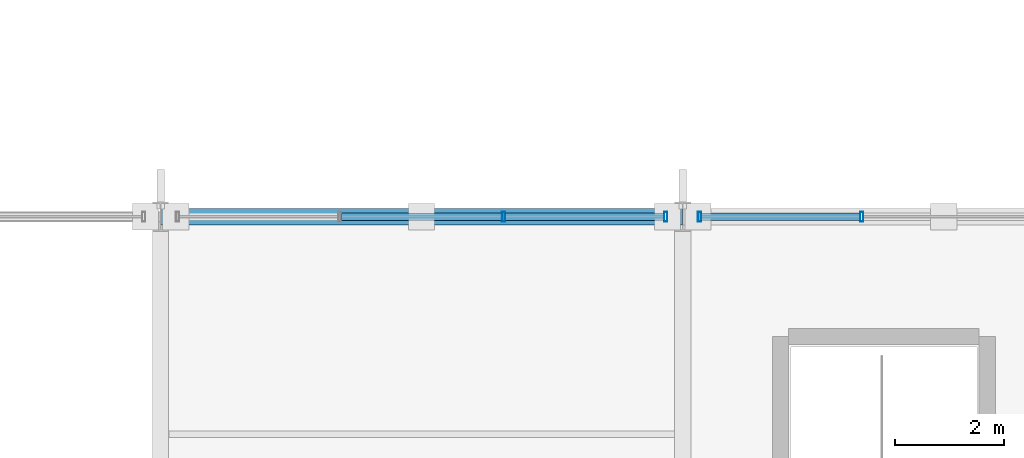
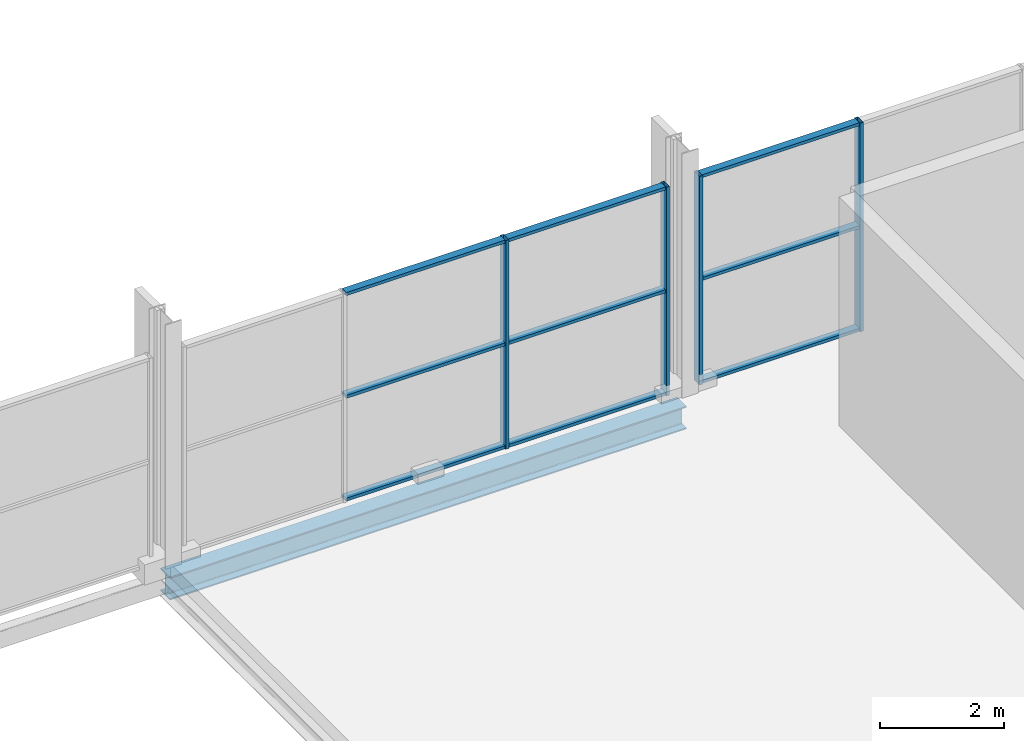
# One storey, part 81 of 159: 13 members, 1 beam, 2 elements without a shape of their own.
"""IFC4 building model written with IfcOpenShell, lengths in metres."""

from ifc_helpers import new_model, si_unit, direction, frame, origin, origin_2d, place, context, subcontext, project, spatial, hollow_rectangle, i_section, extrude, material, material_profile, profile_set, type_object, element, aggregate, save


model = new_model("IFC4")

# Units and contexts
model_context = context("Model", 3, precision=1e-05, world=origin(), true_north=direction((0.0, 1.0)))
body_context = subcontext(model_context, "Body", "Model", "MODEL_VIEW")
ifc_project = project(units=[si_unit("LENGTHUNIT", "METRE"), si_unit("AREAUNIT", "SQUARE_METRE"), si_unit("VOLUMEUNIT", "CUBIC_METRE"), si_unit("PLANEANGLEUNIT", "RADIAN"), si_unit("MASSUNIT", "GRAM", prefix="KILO")], contexts=[model_context])

# Site, building, storey
site_placement = place(None, origin())
site = spatial("IfcSite", under=ifc_project, at=site_placement, CompositionType="ELEMENT")
building_placement = place(site_placement, origin())
building = spatial("IfcBuilding", under=site, at=building_placement, Name="Merenkruunu Market Hall", CompositionType="ELEMENT")
storey_placement = place(building_placement, frame((0.0, 0.0, 5.39990234375)))
storey = spatial("IfcBuildingStorey", under=building, at=storey_placement, Name="L01", CompositionType="ELEMENT", Elevation=5.39990234375)

# Curtain wall, members
ifc_material_1 = material(Name="Powder-coated aluminium", Category="aluminium")
curtain_wall_type = type_object("IfcCurtainWallType", Name="Glazed Curtain Wall CW09", PredefinedType="USERDEFINED", material=ifc_material_1)
curtain_wall_1_placement = place(storey_placement, origin())
curtain_wall_1 = element("IfcCurtainWall", 1, at=curtain_wall_1_placement, inside=storey, type_object=curtain_wall_type, Name="CW-L01-CWM02-054", ObjectType="GLAZED_FACADE", PredefinedType="USERDEFINED")
ifc_material_profile_1 = material_profile(ifc_material_1, hollow_rectangle(XDim=0.06005859375, YDim=0.179931640625, WallThickness=0.00390625, at=origin_2d()), Name="ALU 60x180x4")
ifc_profile_set_1 = profile_set([ifc_material_profile_1], Name="Powder-coated aluminium")
member_type_1 = type_object("IfcMemberType", Name="Curtain Wall Mullion CWM02", PredefinedType="MULLION", material=ifc_profile_set_1)
member_1_placement = place(storey_placement, frame((15.90673828125, 111.60009765625, 0.0), z_axis=(0.0, 0.0, 1.0), x_axis=(1.0, 0.0, 0.0)))
member_1 = element("IfcMember", 2, at=member_1_placement, type_object=member_type_1, Name="CW09 mullion 3", PredefinedType="MULLION", context=body_context, shape_type="SweptSolid", body=[
    extrude(hollow_rectangle(XDim=0.06005859375, YDim=0.179931640625, WallThickness=0.00390625, at=origin_2d()), origin(), (0.0, 0.0, 1.0), 4.10009765625),
])
member_2_placement = place(storey_placement, frame((18.889892578125, 111.60009765625, 0.0), z_axis=(0.0, 0.0, 1.0), x_axis=(1.0, 0.0, 0.0)))
member_2 = element("IfcMember", 3, at=member_2_placement, type_object=member_type_1, Name="CW09 mullion 4", PredefinedType="MULLION", context=body_context, shape_type="SweptSolid", body=[
    extrude(hollow_rectangle(XDim=0.06005859375, YDim=0.179931640625, WallThickness=0.00390625, at=origin_2d()), origin(), (0.0, 0.0, 1.0), 4.10009765625),
])

curtain_wall_2_placement = place(storey_placement, origin())
curtain_wall_2 = element("IfcCurtainWall", 4, at=curtain_wall_2_placement, inside=storey, type_object=curtain_wall_type, Name="CW-L01-CWM02-057", ObjectType="GLAZED_FACADE", PredefinedType="USERDEFINED")
member_3_placement = place(storey_placement, frame((19.510009765625, 111.60009765625, 0.0), z_axis=(0.0, 0.0, 1.0), x_axis=(1.0, 0.0, 0.0)))
member_3 = element("IfcMember", 5, at=member_3_placement, type_object=member_type_1, Name="CW09 mullion 1", PredefinedType="MULLION", context=body_context, shape_type="SweptSolid", body=[
    extrude(hollow_rectangle(XDim=0.06005859375, YDim=0.179931640625, WallThickness=0.00390625, at=origin_2d()), origin(), (0.0, 0.0, 1.0), 4.10009765625),
])
member_4_placement = place(storey_placement, frame((22.493408203125, 111.60009765625, 0.0), z_axis=(0.0, 0.0, 1.0), x_axis=(1.0, 0.0, 0.0)))
member_4 = element("IfcMember", 6, at=member_4_placement, type_object=member_type_1, Name="CW09 mullion 2", PredefinedType="MULLION", context=body_context, shape_type="SweptSolid", body=[
    extrude(hollow_rectangle(XDim=0.06005859375, YDim=0.179931640625, WallThickness=0.00390625, at=origin_2d()), origin(), (0.0, 0.0, 1.0), 4.10009765625),
])

# Member
ifc_material_profile_2 = material_profile(ifc_material_1, hollow_rectangle(XDim=0.06005859375, YDim=0.139892578125, WallThickness=0.00390625, at=origin_2d()), Name="ALU 60x140x4")
ifc_profile_set_2 = profile_set([ifc_material_profile_2], Name="Powder-coated aluminium")
member_type_2 = type_object("IfcMemberType", Name="Curtain Wall Transom CWT02", PredefinedType="USERDEFINED", material=ifc_profile_set_2)
member_5_placement = place(storey_placement, frame((12.92333984375, 111.60009765625, 0.030029296875), z_axis=(1.0, 0.0, 0.0), x_axis=(0.0, 0.0, 1.0)))
member_5 = element("IfcMember", 7, at=member_5_placement, type_object=member_type_2, Name="CW09 transom 2.1", ObjectType="TRANSOM", PredefinedType="USERDEFINED", context=body_context, shape_type="SweptSolid", body=[
    extrude(hollow_rectangle(XDim=0.06005859375, YDim=0.139892578125, WallThickness=0.00390625, at=origin_2d()), origin(), (0.0, 0.0, 1.0), 2.953369140625),
])

member_6_placement = place(storey_placement, frame((12.92333984375, 111.60009765625, 2.050048828125), z_axis=(1.0, 0.0, 0.0), x_axis=(0.0, 0.0, 1.0)))
member_6 = element("IfcMember", 8, at=member_6_placement, type_object=member_type_2, Name="CW09 transom 2.2", ObjectType="TRANSOM", PredefinedType="USERDEFINED", context=body_context, shape_type="SweptSolid", body=[
    extrude(hollow_rectangle(XDim=0.06005859375, YDim=0.139892578125, WallThickness=0.00390625, at=origin_2d()), origin(), (0.0, 0.0, 1.0), 2.953369140625),
])

member_7_placement = place(storey_placement, frame((12.92333984375, 111.60009765625, 4.070068359375), z_axis=(1.0, 0.0, 0.0), x_axis=(0.0, 0.0, 1.0)))
member_7 = element("IfcMember", 9, at=member_7_placement, type_object=member_type_2, Name="CW09 transom 2.3", ObjectType="TRANSOM", PredefinedType="USERDEFINED", context=body_context, shape_type="SweptSolid", body=[
    extrude(hollow_rectangle(XDim=0.06005859375, YDim=0.139892578125, WallThickness=0.00390625, at=origin_2d()), origin(), (0.0, 0.0, 1.0), 2.953369140625),
])

member_8_placement = place(storey_placement, frame((15.936767578125, 111.60009765625, 0.030029296875), z_axis=(1.0, 0.0, 0.0), x_axis=(0.0, 0.0, 1.0)))
member_8 = element("IfcMember", 10, at=member_8_placement, type_object=member_type_2, Name="CW09 transom 3.1", ObjectType="TRANSOM", PredefinedType="USERDEFINED", context=body_context, shape_type="SweptSolid", body=[
    extrude(hollow_rectangle(XDim=0.06005859375, YDim=0.139892578125, WallThickness=0.00390625, at=origin_2d()), origin(), (0.0, 0.0, 1.0), 2.92333984375),
])

member_9_placement = place(storey_placement, frame((15.936767578125, 111.60009765625, 2.050048828125), z_axis=(1.0, 0.0, 0.0), x_axis=(0.0, 0.0, 1.0)))
member_9 = element("IfcMember", 11, at=member_9_placement, type_object=member_type_2, Name="CW09 transom 3.2", ObjectType="TRANSOM", PredefinedType="USERDEFINED", context=body_context, shape_type="SweptSolid", body=[
    extrude(hollow_rectangle(XDim=0.06005859375, YDim=0.139892578125, WallThickness=0.00390625, at=origin_2d()), origin(), (0.0, 0.0, 1.0), 2.92333984375),
])

member_10_placement = place(storey_placement, frame((15.936767578125, 111.60009765625, 4.070068359375), z_axis=(1.0, 0.0, 0.0), x_axis=(0.0, 0.0, 1.0)))
member_10 = element("IfcMember", 12, at=member_10_placement, type_object=member_type_2, Name="CW09 transom 3.3", ObjectType="TRANSOM", PredefinedType="USERDEFINED", context=body_context, shape_type="SweptSolid", body=[
    extrude(hollow_rectangle(XDim=0.06005859375, YDim=0.139892578125, WallThickness=0.00390625, at=origin_2d()), origin(), (0.0, 0.0, 1.0), 2.92333984375),
])

aggregate(curtain_wall_1, [member_1, member_2, member_5, member_6, member_7, member_8, member_9, member_10])

member_11_placement = place(storey_placement, frame((19.5400390625, 111.60009765625, 0.030029296875), z_axis=(1.0, 0.0, 0.0), x_axis=(0.0, 0.0, 1.0)))
member_11 = element("IfcMember", 13, at=member_11_placement, type_object=member_type_2, Name="CW09 transom 1.1", ObjectType="TRANSOM", PredefinedType="USERDEFINED", context=body_context, shape_type="SweptSolid", body=[
    extrude(hollow_rectangle(XDim=0.06005859375, YDim=0.139892578125, WallThickness=0.00390625, at=origin_2d()), origin(), (0.0, 0.0, 1.0), 2.92333984375),
])

member_12_placement = place(storey_placement, frame((19.5400390625, 111.60009765625, 2.050048828125), z_axis=(1.0, 0.0, 0.0), x_axis=(0.0, 0.0, 1.0)))
member_12 = element("IfcMember", 14, at=member_12_placement, type_object=member_type_2, Name="CW09 transom 1.2", ObjectType="TRANSOM", PredefinedType="USERDEFINED", context=body_context, shape_type="SweptSolid", body=[
    extrude(hollow_rectangle(XDim=0.06005859375, YDim=0.139892578125, WallThickness=0.00390625, at=origin_2d()), origin(), (0.0, 0.0, 1.0), 2.92333984375),
])

member_13_placement = place(storey_placement, frame((19.5400390625, 111.60009765625, 4.070068359375), z_axis=(1.0, 0.0, 0.0), x_axis=(0.0, 0.0, 1.0)))
member_13 = element("IfcMember", 15, at=member_13_placement, type_object=member_type_2, Name="CW09 transom 1.3", ObjectType="TRANSOM", PredefinedType="USERDEFINED", context=body_context, shape_type="SweptSolid", body=[
    extrude(hollow_rectangle(XDim=0.06005859375, YDim=0.139892578125, WallThickness=0.00390625, at=origin_2d()), origin(), (0.0, 0.0, 1.0), 2.92333984375),
])

aggregate(curtain_wall_2, [member_3, member_4, member_11, member_12, member_13])

# Beam
ifc_material_2 = material(Name="Steel S355J2", Category="steel")
ifc_material_profile_3 = material_profile(ifc_material_2, i_section(OverallWidth=0.300048828125, OverallDepth=0.449951171875, WebThickness=0.013916015625, FlangeThickness=0.02587890625, FilletRadius=0.027099609375, at=origin_2d()), Name="HEB 450")
ifc_profile_set_3 = profile_set([ifc_material_profile_3], Name="Steel S355J2")
beam_type = type_object("IfcBeamType", Name="Primary Floor Girder B03", PredefinedType="BEAM", material=ifc_profile_set_3)
beam_placement = place(storey_placement, frame((9.60009765625, 111.60009765625, -0.5048828125), z_axis=(1.0, 0.0, 0.0), x_axis=(0.0, 1.0, 0.0)))
element("IfcBeam", 16, at=beam_placement, inside=storey, type_object=beam_type, Name="BM-L01-B03-0546", PredefinedType="BEAM", context=body_context, shape_type="SweptSolid", body=[
    extrude(i_section(OverallWidth=0.300048828125, OverallDepth=0.449951171875, WebThickness=0.013916015625, FlangeThickness=0.02587890625, FilletRadius=0.027099609375, at=origin_2d()), origin(), (0.0, 0.0, 1.0), 9.599853515625),
])

save(model, "model.ifc")
